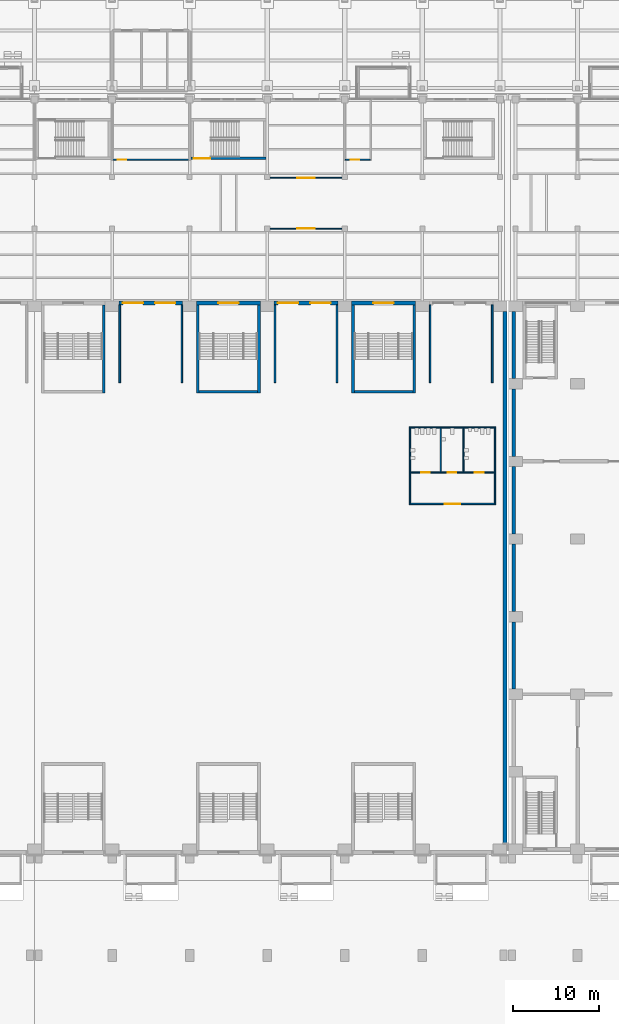
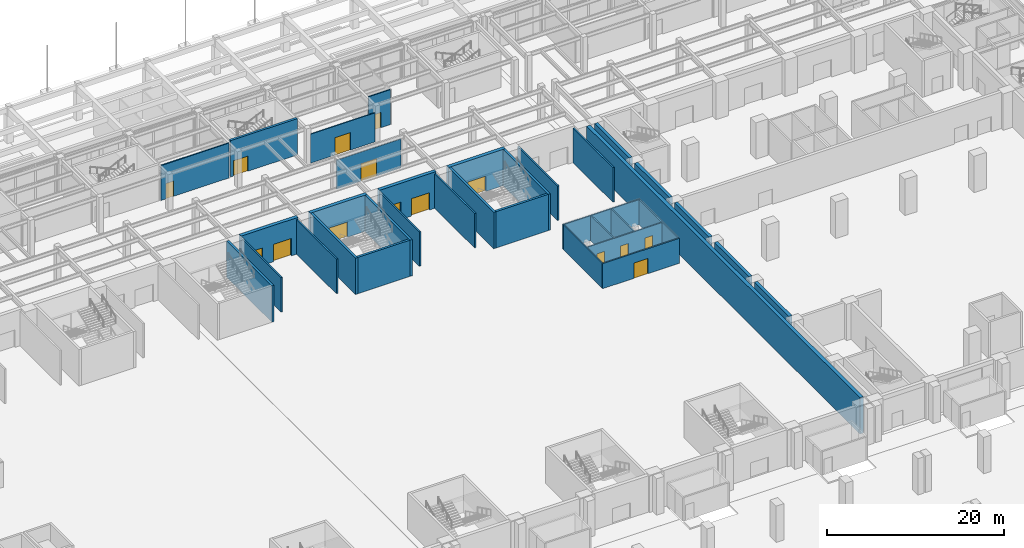
# One storey, part 41 of 77: 35 walls, 15 doors, 15 openings.
"""IFC4 building model written with IfcOpenShell, lengths in metres."""

from ifc_helpers import new_model, si_unit, direction, frame, frame_2d, origin, place, context, subcontext, project, spatial, rectangle, extrude, material, layer, layer_set, type_object, element, fill, save


model = new_model("IFC4")

# Units and contexts
model_context = context("Model", 3, precision=1e-05, world=origin(), true_north=direction((0.0, 1.0)))
body_context = subcontext(model_context, "Body", "Model", "MODEL_VIEW")
ifc_project = project(units=[si_unit("LENGTHUNIT", "METRE"), si_unit("AREAUNIT", "SQUARE_METRE"), si_unit("VOLUMEUNIT", "CUBIC_METRE"), si_unit("PLANEANGLEUNIT", "RADIAN"), si_unit("MASSUNIT", "GRAM", prefix="KILO")], contexts=[model_context])

# Site, building, storey
site_placement = place(None, origin())
site = spatial("IfcSite", under=ifc_project, at=site_placement, CompositionType="ELEMENT")
building_placement = place(site_placement, origin())
building = spatial("IfcBuilding", under=site, at=building_placement, Name="Aravalli Gate Trade Fair Centre", CompositionType="ELEMENT")
storey_placement = place(building_placement, origin())
storey = spatial("IfcBuildingStorey", under=building, at=storey_placement, Name="L00", CompositionType="ELEMENT", Elevation=0.0)

# Walls
ifc_material_1 = material(Name="Concrete M40", Category="concrete")
ifc_layer_1 = layer(ifc_material_1, 0.25, Name="Structural wall")
ifc_material_2 = material(Name="Ventilated air cavity")
ifc_layer_2 = layer(ifc_material_2, 0.050048828125, ventilated=True, Name="Ventilated cavity")
ifc_material_3 = material(Name="Terracotta rainscreen", Category="masonry")
ifc_layer_3 = layer(ifc_material_3, 0.10009765625, Name="Rainscreen cladding")
ifc_layer_set_1 = layer_set([ifc_layer_1, ifc_layer_2, ifc_layer_3], Name="Congress external wall 400")
wall_type_1 = type_object("IfcWallType", Name="Congress external wall 400", PredefinedType="SOLIDWALL", material=ifc_layer_set_1)
for number, where, z_axis, x_axis, name in (
    (1, (106.60009765625, 64.60009765625, 0.0), (0.0, 0.0, 1.0), (0.0, 1.0, 0.0), "West wall L00 bay 3"),
    (2, (106.60009765625, 73.60009765625, 0.0), (0.0, 0.0, 1.0), (0.0, 1.0, 0.0), "West wall L00 bay 4"),
    (3, (106.60009765625, 82.60009765625, 0.0), (0.0, 0.0, 1.0), (0.0, 1.0, 0.0), "West wall L00 bay 5"),
    (4, (106.60009765625, 91.60009765625, 0.0), (0.0, 0.0, 1.0), (0.0, 1.0, 0.0), "West wall L00 bay 6"),
    (5, (106.60009765625, 100.60009765625, 0.0), (0.0, 0.0, 1.0), (0.0, 1.0, 0.0), "West wall L00 bay 7"),
):
    element("IfcWall", number, at=place(storey_placement, frame(where, z_axis=z_axis, x_axis=x_axis)), inside=storey, type_object=wall_type_1, Name=name, PredefinedType="SOLIDWALL", context=body_context, shape_type="SweptSolid", body=[
        extrude(rectangle(XDim=7.7998046875, YDim=0.39990234375, at=frame_2d((3.89990234375, 0.0))), origin(), (0.0, 0.0, 1.0), 5.0),
    ])

# Wall, opening, door
ifc_material_4 = material(Name="Aluminium and glass", Category="aluminium")
ifc_layer_4 = layer(ifc_material_4, 0.1201171875)
ifc_layer_set_2 = layer_set([ifc_layer_4], Name="Aluminium and glass")
wall_type_2 = type_object("IfcWallType", Name="Glazed screen wall 120", PredefinedType="PARTITIONING", material=ifc_layer_set_2)
wall_1_placement = place(storey_placement, frame((78.300048828125, 118.0, 0.0), z_axis=(0.0, 0.0, 1.0), x_axis=(1.0, 0.0, 0.0)))
wall_1 = element("IfcWall", 6, at=wall_1_placement, inside=storey, type_object=wall_type_2, Name="Glazed screen foyer to concourse L00", PredefinedType="PARTITIONING", context=body_context, shape_type="SweptSolid", body=[
    extrude(rectangle(XDim=8.39990234375, YDim=0.1201171875, at=frame_2d((4.199951171875, 0.0))), origin(), (0.0, 0.0, 1.0), 4.0),
])
opening_1_placement = place(wall_1_placement, frame((3.199951171875, 0.0, 0.0)))
opening_1 = element("IfcOpeningElement", 7, at=opening_1_placement, cuts=wall_1, Name="Opening C-L00-44", PredefinedType="OPENING", context=body_context, shape_type="SweptSolid", body=[
    extrude(rectangle(XDim=2.0, YDim=2.39990234375, at=frame_2d((1.0, 1.199951171875))), frame((0.0, 0.070068359375, 0.0), z_axis=(0.0, -1.0, 0.0), x_axis=(1.0, 0.0, 0.0)), (0.0, 0.0, 1.0), 0.14013671875),
])
door_type_1 = type_object("IfcDoorType", Name="Screen door, double leaf 2000 x 2400", OperationType="DOUBLE_DOOR_SINGLE_SWING", PredefinedType="NOTDEFINED", material=ifc_material_4)
door_1_placement = place(opening_1_placement, origin())
door_1 = element("IfcDoor", 8, at=door_1_placement, inside=storey, type_object=door_type_1, Name="Screen door foyer to concourse L00", OperationType="DOUBLE_DOOR_SINGLE_SWING", OverallHeight=2.39990234375, OverallWidth=2.0, PredefinedType="NOTDEFINED", context=body_context, shape_type="SweptSolid", body=[
    extrude(rectangle(XDim=2.0, YDim=2.39990234375, at=frame_2d((1.0, 1.199951171875))), frame((0.0, 0.02490234375, 0.0), z_axis=(0.0, -1.0, 0.0), x_axis=(1.0, 0.0, 0.0)), (0.0, 0.0, 1.0), 0.050048828125),
])
fill(opening_1, door_1)

wall_2_placement = place(storey_placement, frame((78.300048828125, 123.89990234375, 0.0), z_axis=(0.0, 0.0, 1.0), x_axis=(1.0, 0.0, 0.0)))
wall_2 = element("IfcWall", 9, at=wall_2_placement, inside=storey, type_object=wall_type_2, Name="Glazed screen concourse to entrance hall L00", PredefinedType="PARTITIONING", context=body_context, shape_type="SweptSolid", body=[
    extrude(rectangle(XDim=8.39990234375, YDim=0.1201171875, at=frame_2d((4.199951171875, 0.0))), origin(), (0.0, 0.0, 1.0), 4.0),
])
opening_2_placement = place(wall_2_placement, frame((3.199951171875, 0.0, 0.0)))
opening_2 = element("IfcOpeningElement", 10, at=opening_2_placement, cuts=wall_2, Name="Opening C-L00-45", PredefinedType="OPENING", context=body_context, shape_type="SweptSolid", body=[
    extrude(rectangle(XDim=2.0, YDim=2.39990234375, at=frame_2d((1.0, 1.199951171875))), frame((0.0, 0.070068359375, 0.0), z_axis=(0.0, -1.0, 0.0), x_axis=(1.0, 0.0, 0.0)), (0.0, 0.0, 1.0), 0.14013671875),
])
door_2_placement = place(opening_2_placement, origin())
door_2 = element("IfcDoor", 11, at=door_2_placement, inside=storey, type_object=door_type_1, Name="Screen door concourse to entrance hall L00", OperationType="DOUBLE_DOOR_SINGLE_SWING", OverallHeight=2.39990234375, OverallWidth=2.0, PredefinedType="NOTDEFINED", context=body_context, shape_type="SweptSolid", body=[
    extrude(rectangle(XDim=2.0, YDim=2.39990234375, at=frame_2d((1.0, 1.199951171875))), frame((0.0, 0.02490234375, 0.0), z_axis=(0.0, -1.0, 0.0), x_axis=(1.0, 0.0, 0.0)), (0.0, 0.0, 1.0), 0.050048828125),
])
fill(opening_2, door_2)

# Wall, openings, doors
ifc_layer_5 = layer(ifc_material_1, 0.25, Name="Structural wall")
ifc_layer_6 = layer(ifc_material_2, 0.10009765625, ventilated=True, Name="Ventilated cavity")
ifc_material_5 = material(Name="Dholpur sandstone", Category="masonry")
ifc_layer_7 = layer(ifc_material_5, 0.10009765625, Name="Stone facing")
ifc_layer_set_3 = layer_set([ifc_layer_5, ifc_layer_6, ifc_layer_7], Name="Hall external wall 450 stone base")
wall_type_3 = type_object("IfcWallType", Name="Hall external wall 450 stone base", PredefinedType="SOLIDWALL", material=ifc_layer_set_3)
wall_3_placement = place(storey_placement, frame((60.800048828125, 109.375, 0.0), z_axis=(0.0, 0.0, 1.0), x_axis=(1.0, 0.0, 0.0)))
wall_3 = element("IfcWall", 12, at=wall_3_placement, inside=storey, type_object=wall_type_3, Name="Hall north wall bay 7 L00", PredefinedType="SOLIDWALL", context=body_context, shape_type="SweptSolid", body=[
    extrude(rectangle(XDim=7.39990234375, YDim=0.449951171875, at=frame_2d((3.699951171875, 0.0))), origin(), (0.0, 0.0, 1.0), 5.0),
])
opening_3_placement = place(wall_3_placement, frame((0.449951171875, 0.0, 0.0)))
opening_3 = element("IfcOpeningElement", 13, at=opening_3_placement, cuts=wall_3, Name="Opening H-L00-14", PredefinedType="OPENING", context=body_context, shape_type="SweptSolid", body=[
    extrude(rectangle(XDim=2.35009765625, YDim=2.39990234375, at=frame_2d((1.175048828125, 1.199951171875))), frame((0.0, 0.23486328125, 0.0), z_axis=(0.0, -1.0, 0.0), x_axis=(1.0, 0.0, 0.0)), (0.0, 0.0, 1.0), 0.469970703125),
])
opening_4_placement = place(wall_3_placement, frame((4.199951171875, 0.0, 0.0)))
opening_4 = element("IfcOpeningElement", 14, at=opening_4_placement, cuts=wall_3, Name="Opening H-L00-15", PredefinedType="OPENING", context=body_context, shape_type="SweptSolid", body=[
    extrude(rectangle(XDim=2.35009765625, YDim=2.39990234375, at=frame_2d((1.175048828125, 1.199951171875))), frame((0.0, 0.23486328125, 0.0), z_axis=(0.0, -1.0, 0.0), x_axis=(1.0, 0.0, 0.0)), (0.0, 0.0, 1.0), 0.469970703125),
])
ifc_material_6 = material(Name="Steel", Category="steel")
door_type_2 = type_object("IfcDoorType", Name="Hall entrance double door FD120", OperationType="DOUBLE_DOOR_SINGLE_SWING", PredefinedType="DOOR", material=ifc_material_6)
door_3_placement = place(opening_3_placement, origin())
door_3 = element("IfcDoor", 15, at=door_3_placement, inside=storey, type_object=door_type_2, Name="Hall entrance door bay 7 L00 1", OperationType="DOUBLE_DOOR_SINGLE_SWING", OverallHeight=2.39990234375, OverallWidth=2.35009765625, PredefinedType="DOOR", context=body_context, shape_type="SweptSolid", body=[
    extrude(rectangle(XDim=2.35009765625, YDim=2.39990234375, at=frame_2d((1.175048828125, 1.199951171875))), frame((0.0, 0.02490234375, 0.0), z_axis=(0.0, -1.0, 0.0), x_axis=(1.0, 0.0, 0.0)), (0.0, 0.0, 1.0), 0.050048828125),
])
fill(opening_3, door_3)
door_4_placement = place(opening_4_placement, origin())
door_4 = element("IfcDoor", 16, at=door_4_placement, inside=storey, type_object=door_type_2, Name="Hall entrance door bay 7 L00 2", OperationType="DOUBLE_DOOR_SINGLE_SWING", OverallHeight=2.39990234375, OverallWidth=2.35009765625, PredefinedType="DOOR", context=body_context, shape_type="SweptSolid", body=[
    extrude(rectangle(XDim=2.35009765625, YDim=2.39990234375, at=frame_2d((1.175048828125, 1.199951171875))), frame((0.0, 0.02490234375, 0.0), z_axis=(0.0, -1.0, 0.0), x_axis=(1.0, 0.0, 0.0)), (0.0, 0.0, 1.0), 0.050048828125),
])
fill(opening_4, door_4)

# Wall, opening, door
wall_4_placement = place(storey_placement, frame((69.800048828125, 109.375, 0.0), z_axis=(0.0, 0.0, 1.0), x_axis=(1.0, 0.0, 0.0)))
wall_4 = element("IfcWall", 17, at=wall_4_placement, inside=storey, type_object=wall_type_3, Name="Hall north wall bay 8 L00", PredefinedType="SOLIDWALL", context=body_context, shape_type="SweptSolid", body=[
    extrude(rectangle(XDim=7.39990234375, YDim=0.449951171875, at=frame_2d((3.699951171875, 0.0))), origin(), (0.0, 0.0, 1.0), 5.0),
])
opening_5_placement = place(wall_4_placement, frame((2.52490234375, 0.0, 0.0)))
opening_5 = element("IfcOpeningElement", 18, at=opening_5_placement, cuts=wall_4, Name="Opening H-L00-17", PredefinedType="OPENING", context=body_context, shape_type="SweptSolid", body=[
    extrude(rectangle(XDim=2.35009765625, YDim=2.10009765625, at=frame_2d((1.175048828125, 1.050048828125))), frame((0.0, 0.23486328125, 0.0), z_axis=(0.0, -1.0, 0.0), x_axis=(1.0, 0.0, 0.0)), (0.0, 0.0, 1.0), 0.469970703125),
])
door_type_3 = type_object("IfcDoorType", Name="Stair exit double door FD120", OperationType="DOUBLE_DOOR_SINGLE_SWING", PredefinedType="DOOR", material=ifc_material_6)
door_5_placement = place(opening_5_placement, origin())
door_5 = element("IfcDoor", 19, at=door_5_placement, inside=storey, type_object=door_type_3, Name="Exit door ST-N08 L00", OperationType="DOUBLE_DOOR_SINGLE_SWING", OverallHeight=2.10009765625, OverallWidth=2.35009765625, PredefinedType="DOOR", context=body_context, shape_type="SweptSolid", body=[
    extrude(rectangle(XDim=2.35009765625, YDim=2.10009765625, at=frame_2d((1.175048828125, 1.050048828125))), frame((0.0, 0.02490234375, 0.0), z_axis=(0.0, -1.0, 0.0), x_axis=(1.0, 0.0, 0.0)), (0.0, 0.0, 1.0), 0.050048828125),
])
fill(opening_5, door_5)

# Wall, openings, doors
wall_5_placement = place(storey_placement, frame((78.800048828125, 109.375, 0.0), z_axis=(0.0, 0.0, 1.0), x_axis=(1.0, 0.0, 0.0)))
wall_5 = element("IfcWall", 20, at=wall_5_placement, inside=storey, type_object=wall_type_3, Name="Hall north wall bay 9 L00", PredefinedType="SOLIDWALL", context=body_context, shape_type="SweptSolid", body=[
    extrude(rectangle(XDim=7.39990234375, YDim=0.449951171875, at=frame_2d((3.699951171875, 0.0))), origin(), (0.0, 0.0, 1.0), 5.0),
])
opening_6_placement = place(wall_5_placement, frame((0.449951171875, 0.0, 0.0)))
opening_6 = element("IfcOpeningElement", 21, at=opening_6_placement, cuts=wall_5, Name="Opening H-L00-18", PredefinedType="OPENING", context=body_context, shape_type="SweptSolid", body=[
    extrude(rectangle(XDim=2.35009765625, YDim=2.39990234375, at=frame_2d((1.175048828125, 1.199951171875))), frame((0.0, 0.23486328125, 0.0), z_axis=(0.0, -1.0, 0.0), x_axis=(1.0, 0.0, 0.0)), (0.0, 0.0, 1.0), 0.469970703125),
])
opening_7_placement = place(wall_5_placement, frame((4.199951171875, 0.0, 0.0)))
opening_7 = element("IfcOpeningElement", 22, at=opening_7_placement, cuts=wall_5, Name="Opening H-L00-19", PredefinedType="OPENING", context=body_context, shape_type="SweptSolid", body=[
    extrude(rectangle(XDim=2.35009765625, YDim=2.39990234375, at=frame_2d((1.175048828125, 1.199951171875))), frame((0.0, 0.23486328125, 0.0), z_axis=(0.0, -1.0, 0.0), x_axis=(1.0, 0.0, 0.0)), (0.0, 0.0, 1.0), 0.469970703125),
])
door_6_placement = place(opening_6_placement, origin())
door_6 = element("IfcDoor", 23, at=door_6_placement, inside=storey, type_object=door_type_2, Name="Hall entrance door bay 9 L00 1", OperationType="DOUBLE_DOOR_SINGLE_SWING", OverallHeight=2.39990234375, OverallWidth=2.35009765625, PredefinedType="DOOR", context=body_context, shape_type="SweptSolid", body=[
    extrude(rectangle(XDim=2.35009765625, YDim=2.39990234375, at=frame_2d((1.175048828125, 1.199951171875))), frame((0.0, 0.02490234375, 0.0), z_axis=(0.0, -1.0, 0.0), x_axis=(1.0, 0.0, 0.0)), (0.0, 0.0, 1.0), 0.050048828125),
])
fill(opening_6, door_6)
door_7_placement = place(opening_7_placement, origin())
door_7 = element("IfcDoor", 24, at=door_7_placement, inside=storey, type_object=door_type_2, Name="Hall entrance door bay 9 L00 2", OperationType="DOUBLE_DOOR_SINGLE_SWING", OverallHeight=2.39990234375, OverallWidth=2.35009765625, PredefinedType="DOOR", context=body_context, shape_type="SweptSolid", body=[
    extrude(rectangle(XDim=2.35009765625, YDim=2.39990234375, at=frame_2d((1.175048828125, 1.199951171875))), frame((0.0, 0.02490234375, 0.0), z_axis=(0.0, -1.0, 0.0), x_axis=(1.0, 0.0, 0.0)), (0.0, 0.0, 1.0), 0.050048828125),
])
fill(opening_7, door_7)

# Wall, opening, door
wall_6_placement = place(storey_placement, frame((87.800048828125, 109.375, 0.0), z_axis=(0.0, 0.0, 1.0), x_axis=(1.0, 0.0, 0.0)))
wall_6 = element("IfcWall", 25, at=wall_6_placement, inside=storey, type_object=wall_type_3, Name="Hall north wall bay 10 L00", PredefinedType="SOLIDWALL", context=body_context, shape_type="SweptSolid", body=[
    extrude(rectangle(XDim=7.39990234375, YDim=0.449951171875, at=frame_2d((3.699951171875, 0.0))), origin(), (0.0, 0.0, 1.0), 5.0),
])
opening_8_placement = place(wall_6_placement, frame((2.52490234375, 0.0, 0.0)))
opening_8 = element("IfcOpeningElement", 26, at=opening_8_placement, cuts=wall_6, Name="Opening H-L00-21", PredefinedType="OPENING", context=body_context, shape_type="SweptSolid", body=[
    extrude(rectangle(XDim=2.35009765625, YDim=2.10009765625, at=frame_2d((1.175048828125, 1.050048828125))), frame((0.0, 0.23486328125, 0.0), z_axis=(0.0, -1.0, 0.0), x_axis=(1.0, 0.0, 0.0)), (0.0, 0.0, 1.0), 0.469970703125),
])
door_8_placement = place(opening_8_placement, origin())
door_8 = element("IfcDoor", 27, at=door_8_placement, inside=storey, type_object=door_type_3, Name="Exit door ST-N10 L00", OperationType="DOUBLE_DOOR_SINGLE_SWING", OverallHeight=2.10009765625, OverallWidth=2.35009765625, PredefinedType="DOOR", context=body_context, shape_type="SweptSolid", body=[
    extrude(rectangle(XDim=2.35009765625, YDim=2.10009765625, at=frame_2d((1.175048828125, 1.050048828125))), frame((0.0, 0.02490234375, 0.0), z_axis=(0.0, -1.0, 0.0), x_axis=(1.0, 0.0, 0.0)), (0.0, 0.0, 1.0), 0.050048828125),
])
fill(opening_8, door_8)

# Walls
wall_7_placement = place(storey_placement, frame((105.574951171875, 46.75, 0.0), z_axis=(0.0, 0.0, 1.0), x_axis=(0.0, 1.0, 0.0)))
element("IfcWall", 28, at=wall_7_placement, inside=storey, type_object=wall_type_3, Name="Hall east wall L00", PredefinedType="SOLIDWALL", context=body_context, shape_type="SweptSolid", body=[
    extrude(rectangle(XDim=61.64990234375, YDim=0.449951171875, at=frame_2d((30.824951171875, 0.0))), origin(), (0.0, 0.0, 1.0), 5.0),
])
ifc_layer_8 = layer(ifc_material_1, 0.199951171875)
ifc_layer_set_4 = layer_set([ifc_layer_8], Name="Concrete M40")
wall_type_4 = type_object("IfcWallType", Name="Meeting room side wall RC 200", PredefinedType="SHEAR", material=ifc_layer_set_4)
for number, where, z_axis, x_axis, name in (
    (29, (60.89990234375, 100.14990234375, 0.0), (0.0, 0.0, 1.0), (0.0, 1.0, 0.0), "Meeting room 4 side wall W L00"),
    (30, (68.10009765625, 100.14990234375, 0.0), (0.0, 0.0, 1.0), (0.0, 1.0, 0.0), "Meeting room 4 side wall E L00"),
    (31, (78.89990234375, 100.14990234375, 0.0), (0.0, 0.0, 1.0), (0.0, 1.0, 0.0), "Meeting room 5 side wall W L00"),
    (32, (86.10009765625, 100.14990234375, 0.0), (0.0, 0.0, 1.0), (0.0, 1.0, 0.0), "Meeting room 5 side wall E L00"),
    (33, (96.89990234375, 100.14990234375, 0.0), (0.0, 0.0, 1.0), (0.0, 1.0, 0.0), "Meeting room 6 side wall W L00"),
    (34, (104.10009765625, 100.14990234375, 0.0), (0.0, 0.0, 1.0), (0.0, 1.0, 0.0), "Meeting room 6 side wall E L00"),
):
    element("IfcWall", number, at=place(storey_placement, frame(where, z_axis=z_axis, x_axis=x_axis)), inside=storey, type_object=wall_type_4, Name=name, PredefinedType="SHEAR", context=body_context, shape_type="SweptSolid", body=[
        extrude(rectangle(XDim=9.0, YDim=0.199951171875, at=frame_2d((4.5, 0.0))), origin(), (0.0, 0.0, 1.0), 4.75),
    ])

# Wall, opening, door
ifc_material_7 = material(Name="Gypsum board")
ifc_layer_9 = layer(ifc_material_7, 0.02490234375, Name="Gypsum board lining")
ifc_material_8 = material(Name="Galvanised stud framing")
ifc_layer_10 = layer(ifc_material_8, 0.10009765625, Name="Stud framing")
ifc_layer_11 = layer(ifc_material_7, 0.02490234375, Name="Gypsum board lining")
ifc_layer_set_5 = layer_set([ifc_layer_9, ifc_layer_10, ifc_layer_11], Name="Partition wall 150")
wall_type_5 = type_object("IfcWallType", Name="Partition wall 150", PredefinedType="PARTITIONING", material=ifc_layer_set_5)
wall_8_placement = place(storey_placement, frame((60.074951171875, 126.0, 0.0), z_axis=(0.0, 0.0, 1.0), x_axis=(1.0, 0.0, 0.0)))
wall_8 = element("IfcWall", 35, at=wall_8_placement, inside=storey, type_object=wall_type_5, Name="Partition Ladies WC south L00", PredefinedType="PARTITIONING", context=body_context, shape_type="SweptSolid", body=[
    extrude(rectangle(XDim=8.85009765625, YDim=0.14990234375, at=frame_2d((4.425048828125, 0.0))), origin(), (0.0, 0.0, 1.0), 4.800048828125),
])
opening_9_placement = place(wall_8_placement, frame((0.60009765625, 0.0, 0.0)))
opening_9 = element("IfcOpeningElement", 36, at=opening_9_placement, cuts=wall_8, Name="Opening C-L00-37", PredefinedType="OPENING", context=body_context, shape_type="SweptSolid", body=[
    extrude(rectangle(XDim=1.0, YDim=2.10009765625, at=frame_2d((0.5, 1.050048828125))), frame((0.0, 0.0849609375, 0.0), z_axis=(0.0, -1.0, 0.0), x_axis=(1.0, 0.0, 0.0)), (0.0, 0.0, 1.0), 0.169921875),
])
ifc_material_9 = material(Name="Steel, fire rated", Category="steel")
door_type_4 = type_object("IfcDoorType", Name="Room door 1000 x 2100", OperationType="SINGLE_SWING_RIGHT", PredefinedType="NOTDEFINED", material=ifc_material_9)
door_9_placement = place(opening_9_placement, frame((1.0, 0.0, 0.0), z_axis=(0.0, 0.0, 1.0), x_axis=(-1.0, 0.0, 0.0)))
door_9 = element("IfcDoor", 37, at=door_9_placement, inside=storey, type_object=door_type_4, Name="Door Ladies WC L00", OperationType="SINGLE_SWING_RIGHT", OverallHeight=2.10009765625, OverallWidth=1.0, PredefinedType="NOTDEFINED", context=body_context, shape_type="SweptSolid", body=[
    extrude(rectangle(XDim=1.0, YDim=2.10009765625, at=frame_2d((0.5, 1.050048828125))), frame((0.0, 0.02490234375, 0.0), z_axis=(0.0, -1.0, 0.0), x_axis=(1.0, 0.0, 0.0)), (0.0, 0.0, 1.0), 0.050048828125),
])
fill(opening_9, door_9)

wall_9_placement = place(storey_placement, frame((87.074951171875, 126.0, 0.0), z_axis=(0.0, 0.0, 1.0), x_axis=(1.0, 0.0, 0.0)))
wall_9 = element("IfcWall", 38, at=wall_9_placement, inside=storey, type_object=wall_type_5, Name="Partition Accessible WC south L00", PredefinedType="PARTITIONING", context=body_context, shape_type="SweptSolid", body=[
    extrude(rectangle(XDim=2.85009765625, YDim=0.14990234375, at=frame_2d((1.425048828125, 0.0))), origin(), (0.0, 0.0, 1.0), 4.800048828125),
])
opening_10_placement = place(wall_9_placement, frame((0.60009765625, 0.0, 0.0)))
opening_10 = element("IfcOpeningElement", 39, at=opening_10_placement, cuts=wall_9, Name="Opening C-L00-38", PredefinedType="OPENING", context=body_context, shape_type="SweptSolid", body=[
    extrude(rectangle(XDim=1.0, YDim=2.10009765625, at=frame_2d((0.5, 1.050048828125))), frame((0.0, 0.0849609375, 0.0), z_axis=(0.0, -1.0, 0.0), x_axis=(1.0, 0.0, 0.0)), (0.0, 0.0, 1.0), 0.169921875),
])
door_10_placement = place(opening_10_placement, frame((1.0, 0.0, 0.0), z_axis=(0.0, 0.0, 1.0), x_axis=(-1.0, 0.0, 0.0)))
door_10 = element("IfcDoor", 40, at=door_10_placement, inside=storey, type_object=door_type_4, Name="Door Accessible WC L00", OperationType="SINGLE_SWING_LEFT", OverallHeight=2.10009765625, OverallWidth=1.0, PredefinedType="NOTDEFINED", context=body_context, shape_type="SweptSolid", body=[
    extrude(rectangle(XDim=1.0, YDim=2.10009765625, at=frame_2d((0.5, 1.050048828125))), frame((0.0, 0.02490234375, 0.0), z_axis=(0.0, -1.0, 0.0), x_axis=(1.0, 0.0, 0.0)), (0.0, 0.0, 1.0), 0.050048828125),
])
fill(opening_10, door_10)

ifc_layer_12 = layer(ifc_material_1, 0.300048828125)
ifc_layer_set_6 = layer_set([ifc_layer_12], Name="Concrete M40")
wall_type_6 = type_object("IfcWallType", Name="RC core wall 300", PredefinedType="SHEAR", material=ifc_layer_set_6)
wall_10_placement = place(storey_placement, frame((69.14990234375, 126.14990234375, 0.0), z_axis=(0.0, 0.0, 1.0), x_axis=(1.0, 0.0, 0.0)))
wall_10 = element("IfcWall", 41, at=wall_10_placement, inside=storey, type_object=wall_type_6, Name="Core wall XCS L00", PredefinedType="SHEAR", context=body_context, shape_type="SweptSolid", body=[
    extrude(rectangle(XDim=8.7001953125, YDim=0.300048828125, at=frame_2d((4.35009765625, 0.0))), origin(), (0.0, 0.0, 1.0), 5.0),
])
opening_11_placement = place(wall_10_placement, frame((0.35009765625, 0.0, 0.0)))
opening_11 = element("IfcOpeningElement", 42, at=opening_11_placement, cuts=wall_10, Name="Opening C-L00-32", PredefinedType="OPENING", context=body_context, shape_type="SweptSolid", body=[
    extrude(rectangle(XDim=1.89990234375, YDim=2.10009765625, at=frame_2d((0.949951171875, 1.050048828125))), frame((0.0, 0.159912109375, 0.0), z_axis=(0.0, -1.0, 0.0), x_axis=(1.0, 0.0, 0.0)), (0.0, 0.0, 1.0), 0.320068359375),
])
door_type_5 = type_object("IfcDoorType", Name="Concourse stair door 1900 x 2100", OperationType="DOUBLE_DOOR_SINGLE_SWING", PredefinedType="NOTDEFINED", material=ifc_material_9)
door_11_placement = place(opening_11_placement, origin())
door_11 = element("IfcDoor", 43, at=door_11_placement, inside=storey, type_object=door_type_5, Name="Stair door XC L00", OperationType="DOUBLE_DOOR_SINGLE_SWING", OverallHeight=2.10009765625, OverallWidth=1.89990234375, PredefinedType="NOTDEFINED", context=body_context, shape_type="SweptSolid", body=[
    extrude(rectangle(XDim=1.89990234375, YDim=2.10009765625, at=frame_2d((0.949951171875, 1.050048828125))), frame((0.0, 0.02490234375, 0.0), z_axis=(0.0, -1.0, 0.0), x_axis=(1.0, 0.0, 0.0)), (0.0, 0.0, 1.0), 0.050048828125),
])
fill(opening_11, door_11)

# Walls
ifc_layer_13 = layer(ifc_material_1, 0.300048828125)
ifc_layer_set_7 = layer_set([ifc_layer_13], Name="Concrete M40")
wall_type_7 = type_object("IfcWallType", Name="Stair tower wall RC 300", PredefinedType="SHEAR", material=ifc_layer_set_7)
for number, where, z_axis, x_axis, name in (
    (44, (59.050048828125, 109.14990234375, 0.0), (0.0, 0.0, 1.0), (0.0, -1.0, 0.0), "Stair tower N06 wall E L00"),
    (45, (69.949951171875, 109.14990234375, 0.0), (0.0, 0.0, 1.0), (0.0, -1.0, 0.0), "Stair tower N08 wall W L00"),
    (46, (77.050048828125, 109.14990234375, 0.0), (0.0, 0.0, 1.0), (0.0, -1.0, 0.0), "Stair tower N08 wall E L00"),
):
    element("IfcWall", number, at=place(storey_placement, frame(where, z_axis=z_axis, x_axis=x_axis)), inside=storey, type_object=wall_type_7, Name=name, PredefinedType="SHEAR", context=body_context, shape_type="SweptSolid", body=[
        extrude(rectangle(XDim=10.199951171875, YDim=0.300048828125, at=frame_2d((5.10009765625, 0.0))), origin(), (0.0, 0.0, 1.0), 5.0),
    ])
wall_11_placement = place(storey_placement, frame((70.10009765625, 99.10009765625, 0.0), z_axis=(0.0, 0.0, 1.0), x_axis=(1.0, 0.0, 0.0)))
element("IfcWall", 47, at=wall_11_placement, inside=storey, type_object=wall_type_7, Name="Stair tower N08 wall F L00", PredefinedType="SHEAR", context=body_context, shape_type="SweptSolid", body=[
    extrude(rectangle(XDim=6.7998046875, YDim=0.300048828125, at=frame_2d((3.39990234375, 0.0))), origin(), (0.0, 0.0, 1.0), 5.0),
])
for number, where, z_axis, x_axis, name in (
    (48, (87.949951171875, 109.14990234375, 0.0), (0.0, 0.0, 1.0), (0.0, -1.0, 0.0), "Stair tower N10 wall W L00"),
    (49, (95.050048828125, 109.14990234375, 0.0), (0.0, 0.0, 1.0), (0.0, -1.0, 0.0), "Stair tower N10 wall E L00"),
):
    element("IfcWall", number, at=place(storey_placement, frame(where, z_axis=z_axis, x_axis=x_axis)), inside=storey, type_object=wall_type_7, Name=name, PredefinedType="SHEAR", context=body_context, shape_type="SweptSolid", body=[
        extrude(rectangle(XDim=10.199951171875, YDim=0.300048828125, at=frame_2d((5.10009765625, 0.0))), origin(), (0.0, 0.0, 1.0), 5.0),
    ])
wall_12_placement = place(storey_placement, frame((88.10009765625, 99.10009765625, 0.0), z_axis=(0.0, 0.0, 1.0), x_axis=(1.0, 0.0, 0.0)))
element("IfcWall", 50, at=wall_12_placement, inside=storey, type_object=wall_type_7, Name="Stair tower N10 wall F L00", PredefinedType="SHEAR", context=body_context, shape_type="SweptSolid", body=[
    extrude(rectangle(XDim=6.7998046875, YDim=0.300048828125, at=frame_2d((3.39990234375, 0.0))), origin(), (0.0, 0.0, 1.0), 5.0),
])

# Wall, opening, door
ifc_layer_14 = layer(ifc_material_1, 0.14990234375)
ifc_layer_set_8 = layer_set([ifc_layer_14], Name="Concrete M40")
wall_type_8 = type_object("IfcWallType", Name="WC block wall RC 150", PredefinedType="SOLIDWALL", material=ifc_layer_set_8)
wall_13_placement = place(storey_placement, frame((94.5, 86.074951171875, 0.0), z_axis=(0.0, 0.0, 1.0), x_axis=(1.0, 0.0, 0.0)))
wall_13 = element("IfcWall", 51, at=wall_13_placement, inside=storey, type_object=wall_type_8, Name="WC block E L00 wall s", PredefinedType="SOLIDWALL", context=body_context, shape_type="SweptSolid", body=[
    extrude(rectangle(XDim=10.0, YDim=0.14990234375, at=frame_2d((5.0, 0.0))), origin(), (0.0, 0.0, 1.0), 3.449951171875),
])
opening_12_placement = place(wall_13_placement, frame((4.10009765625, 0.0, 0.0)))
opening_12 = element("IfcOpeningElement", 52, at=opening_12_placement, cuts=wall_13, Name="Opening H-L00-32", PredefinedType="OPENING", context=body_context, shape_type="SweptSolid", body=[
    extrude(rectangle(XDim=1.800048828125, YDim=2.10009765625, at=frame_2d((0.89990234375, 1.050048828125))), frame((0.0, 0.0849609375, 0.0), z_axis=(0.0, -1.0, 0.0), x_axis=(1.0, 0.0, 0.0)), (0.0, 0.0, 1.0), 0.169921875),
])
ifc_material_10 = material(Name="Timber", Category="wood")
door_type_6 = type_object("IfcDoorType", Name="WC entrance double door 1800", OperationType="DOUBLE_DOOR_SINGLE_SWING", PredefinedType="DOOR", material=ifc_material_10)
door_12_placement = place(opening_12_placement, origin())
door_12 = element("IfcDoor", 53, at=door_12_placement, inside=storey, type_object=door_type_6, Name="WC entrance door E L00", OperationType="DOUBLE_DOOR_SINGLE_SWING", OverallHeight=2.10009765625, OverallWidth=1.800048828125, PredefinedType="DOOR", context=body_context, shape_type="SweptSolid", body=[
    extrude(rectangle(XDim=1.800048828125, YDim=2.10009765625, at=frame_2d((0.89990234375, 1.050048828125))), frame((0.0, 0.02490234375, 0.0), z_axis=(0.0, -1.0, 0.0), x_axis=(1.0, 0.0, 0.0)), (0.0, 0.0, 1.0), 0.050048828125),
])
fill(opening_12, door_12)

# Walls
wall_14_placement = place(storey_placement, frame((94.5, 94.925048828125, 0.0), z_axis=(0.0, 0.0, 1.0), x_axis=(1.0, 0.0, 0.0)))
element("IfcWall", 54, at=wall_14_placement, inside=storey, type_object=wall_type_8, Name="WC block E L00 wall n", PredefinedType="SOLIDWALL", context=body_context, shape_type="SweptSolid", body=[
    extrude(rectangle(XDim=10.0, YDim=0.14990234375, at=frame_2d((5.0, 0.0))), origin(), (0.0, 0.0, 1.0), 3.449951171875),
])
for number, where, z_axis, x_axis, name in (
    (55, (104.425048828125, 86.14990234375, 0.0), (0.0, 0.0, 1.0), (0.0, 1.0, 0.0), "WC block E L00 wall w"),
    (56, (94.574951171875, 86.14990234375, 0.0), (0.0, 0.0, 1.0), (0.0, 1.0, 0.0), "WC block E L00 wall e"),
):
    element("IfcWall", number, at=place(storey_placement, frame(where, z_axis=z_axis, x_axis=x_axis)), inside=storey, type_object=wall_type_8, Name=name, PredefinedType="SOLIDWALL", context=body_context, shape_type="SweptSolid", body=[
        extrude(rectangle(XDim=8.7001953125, YDim=0.14990234375, at=frame_2d((4.35009765625, 0.0))), origin(), (0.0, 0.0, 1.0), 3.449951171875),
    ])

# Wall, openings, doors
wall_15_placement = place(storey_placement, frame((94.64990234375, 89.72509765625, 0.0), z_axis=(0.0, 0.0, 1.0), x_axis=(1.0, 0.0, 0.0)))
wall_15 = element("IfcWall", 57, at=wall_15_placement, inside=storey, type_object=wall_type_8, Name="WC block E L00 wall l", PredefinedType="SOLIDWALL", context=body_context, shape_type="SweptSolid", body=[
    extrude(rectangle(XDim=9.7001953125, YDim=0.14990234375, at=frame_2d((4.85009765625, 0.0))), origin(), (0.0, 0.0, 1.0), 3.449951171875),
])
opening_13_placement = place(wall_15_placement, frame((7.449951171875, 0.0, 0.0)))
opening_13 = element("IfcOpeningElement", 58, at=opening_13_placement, cuts=wall_15, Name="Opening H-L00-33", PredefinedType="OPENING", context=body_context, shape_type="SweptSolid", body=[
    extrude(rectangle(XDim=1.0, YDim=2.10009765625, at=frame_2d((0.5, 1.050048828125))), frame((0.0, 0.0849609375, 0.0), z_axis=(0.0, -1.0, 0.0), x_axis=(1.0, 0.0, 0.0)), (0.0, 0.0, 1.0), 0.169921875),
])
opening_14_placement = place(wall_15_placement, frame((4.300048828125, 0.0, 0.0)))
opening_14 = element("IfcOpeningElement", 59, at=opening_14_placement, cuts=wall_15, Name="Opening H-L00-34", PredefinedType="OPENING", context=body_context, shape_type="SweptSolid", body=[
    extrude(rectangle(XDim=1.0, YDim=2.10009765625, at=frame_2d((0.5, 1.050048828125))), frame((0.0, 0.0849609375, 0.0), z_axis=(0.0, -1.0, 0.0), x_axis=(1.0, 0.0, 0.0)), (0.0, 0.0, 1.0), 0.169921875),
])
opening_15_placement = place(wall_15_placement, frame((1.199951171875, 0.0, 0.0)))
opening_15 = element("IfcOpeningElement", 60, at=opening_15_placement, cuts=wall_15, Name="Opening H-L00-35", PredefinedType="OPENING", context=body_context, shape_type="SweptSolid", body=[
    extrude(rectangle(XDim=1.0, YDim=2.10009765625, at=frame_2d((0.5, 1.050048828125))), frame((0.0, 0.0849609375, 0.0), z_axis=(0.0, -1.0, 0.0), x_axis=(1.0, 0.0, 0.0)), (0.0, 0.0, 1.0), 0.169921875),
])
door_type_7 = type_object("IfcDoorType", Name="WC door 1000", OperationType="SINGLE_SWING_LEFT", PredefinedType="DOOR", material=ifc_material_10)
door_13_placement = place(opening_13_placement, origin())
door_13 = element("IfcDoor", 61, at=door_13_placement, inside=storey, type_object=door_type_7, Name="Men WC door E L00", OperationType="SINGLE_SWING_LEFT", OverallHeight=2.10009765625, OverallWidth=1.0, PredefinedType="DOOR", context=body_context, shape_type="SweptSolid", body=[
    extrude(rectangle(XDim=1.0, YDim=2.10009765625, at=frame_2d((0.5, 1.050048828125))), frame((0.0, 0.02490234375, 0.0), z_axis=(0.0, -1.0, 0.0), x_axis=(1.0, 0.0, 0.0)), (0.0, 0.0, 1.0), 0.050048828125),
])
fill(opening_13, door_13)
door_14_placement = place(opening_14_placement, origin())
door_14 = element("IfcDoor", 62, at=door_14_placement, inside=storey, type_object=door_type_7, Name="Accessible WC door E L00", OperationType="SINGLE_SWING_LEFT", OverallHeight=2.10009765625, OverallWidth=1.0, PredefinedType="DOOR", context=body_context, shape_type="SweptSolid", body=[
    extrude(rectangle(XDim=1.0, YDim=2.10009765625, at=frame_2d((0.5, 1.050048828125))), frame((0.0, 0.02490234375, 0.0), z_axis=(0.0, -1.0, 0.0), x_axis=(1.0, 0.0, 0.0)), (0.0, 0.0, 1.0), 0.050048828125),
])
fill(opening_14, door_14)
door_15_placement = place(opening_15_placement, origin())
door_15 = element("IfcDoor", 63, at=door_15_placement, inside=storey, type_object=door_type_7, Name="Women WC door E L00", OperationType="SINGLE_SWING_RIGHT", OverallHeight=2.10009765625, OverallWidth=1.0, PredefinedType="DOOR", context=body_context, shape_type="SweptSolid", body=[
    extrude(rectangle(XDim=1.0, YDim=2.10009765625, at=frame_2d((0.5, 1.050048828125))), frame((0.0, 0.02490234375, 0.0), z_axis=(0.0, -1.0, 0.0), x_axis=(1.0, 0.0, 0.0)), (0.0, 0.0, 1.0), 0.050048828125),
])
fill(opening_15, door_15)

# Walls
for number, where, z_axis, x_axis, name in (
    (64, (100.77490234375, 89.800048828125, 0.0), (0.0, 0.0, 1.0), (0.0, 1.0, 0.0), "WC block E L00 wall p1"),
    (65, (98.125, 89.800048828125, 0.0), (0.0, 0.0, 1.0), (0.0, 1.0, 0.0), "WC block E L00 wall p2"),
):
    element("IfcWall", number, at=place(storey_placement, frame(where, z_axis=z_axis, x_axis=x_axis)), inside=storey, type_object=wall_type_8, Name=name, PredefinedType="SOLIDWALL", context=body_context, shape_type="SweptSolid", body=[
        extrude(rectangle(XDim=5.050048828125, YDim=0.14990234375, at=frame_2d((2.52490234375, 0.0))), origin(), (0.0, 0.0, 1.0), 3.449951171875),
    ])

save(model, "model.ifc")
